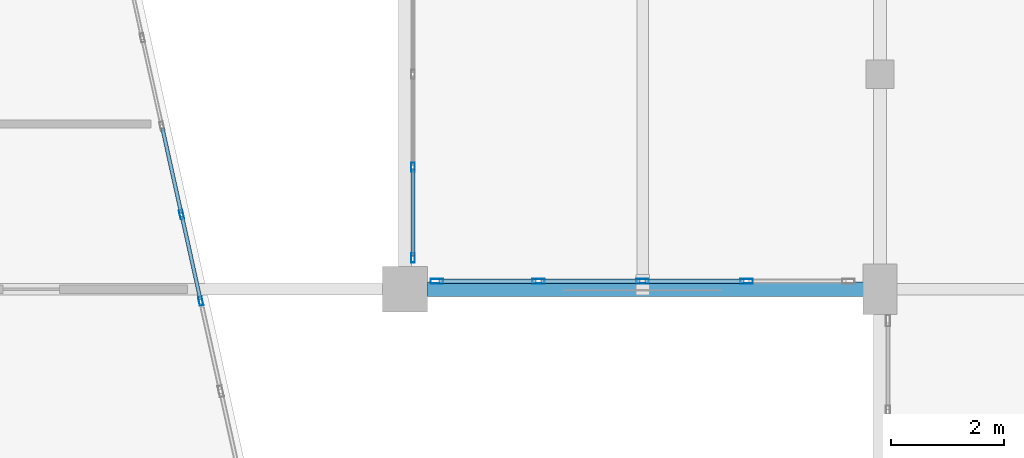
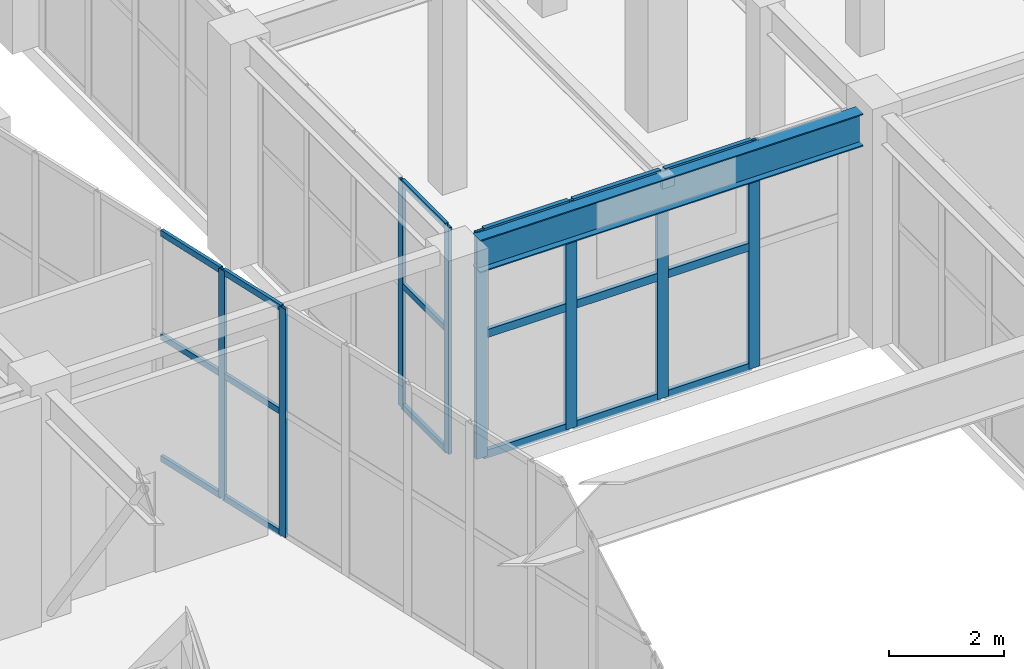
# One storey, part 12 of 128: 26 members, 1 beam, 3 elements without a shape of their own.
"""IFC4 building model written with IfcOpenShell, lengths in metres."""

import ifcopenshell
import ifcopenshell.guid

model = None  # the IFC model being written
_history = None  # IfcOwnerHistory: only IFC2X3 demands one
_inside = {}  # id of a spatial element -> (the spatial element, [elements in it])
_under = {}  # id of a project, library or spatial element -> (it, [spatial elements below it])
_declared = {}  # id of a project -> (the project, [libraries it declares])
_typed = {}  # id of a type object -> (the type object, [elements of that type])
_made_of = {}  # id of a material, layer set ... -> (it, [elements and type objects made of it])


def new_model(schema):
    """Start an empty IFC model of exactly this schema.

    Asked for "IFC4X3", IfcOpenShell would pick the latest addendum, in which some entities
    have other attributes; the version numbers below select the first issue.
    IFC2X3 requires an IfcOwnerHistory on every rooted entity: one is made here for all.
    """
    global model, _history
    if schema == "IFC4X3":
        model = ifcopenshell.file(schema_version=(4, 3, 0, 0))
    else:
        model = ifcopenshell.file(schema=schema)
    _inside.clear()
    _under.clear()
    _declared.clear()
    _typed.clear()
    _made_of.clear()
    _history = None
    if model.schema == "IFC2X3":
        org = make("IfcOrganization", Name="unknown")
        user = make(
            "IfcPersonAndOrganization",
            ThePerson=make("IfcPerson", FamilyName="unknown"),
            TheOrganization=org,
        )
        app = make(
            "IfcApplication",
            ApplicationDeveloper=org,
            Version="unknown",
            ApplicationFullName="unknown",
            ApplicationIdentifier="unknown",
        )
        _history = make(
            "IfcOwnerHistory",
            OwningUser=user,
            OwningApplication=app,
            ChangeAction="ADDED",
            CreationDate=0,
        )
    return model


def make(cls, **values):
    """One entity of the class cls with the attributes given. An attribute that is None is left unset."""
    return model.create_entity(
        cls, **{name: value for name, value in values.items() if value is not None}
    )


def rooted(cls, **values):
    """An entity with a GlobalId (a new one), such as an element, a storey or a relation."""
    return make(cls, GlobalId=ifcopenshell.guid.new(), OwnerHistory=_history, **values)


def si_unit(unit_type, name, prefix=None):
    """IfcSIUnit, for example si_unit("LENGTHUNIT", "METRE", prefix="MILLI")."""
    return make("IfcSIUnit", UnitType=unit_type, Prefix=prefix, Name=name)


def assignment(units):
    """IfcUnitAssignment: the units of a project."""
    return None if units is None else make("IfcUnitAssignment", Units=units)


def point(xyz):
    """IfcCartesianPoint."""
    return None if xyz is None else make("IfcCartesianPoint", Coordinates=xyz)


def direction(xyz):
    """IfcDirection."""
    return None if xyz is None else make("IfcDirection", DirectionRatios=xyz)


def frame(location, z_axis=None, x_axis=None):
    """IfcAxis2Placement3D, a coordinate frame: its origin and axes. An axis left out is left unset."""
    return make(
        "IfcAxis2Placement3D",
        Location=point(location),
        Axis=direction(z_axis),
        RefDirection=direction(x_axis),
    )


def frame_2d(location, x_axis=None):
    """IfcAxis2Placement2D, a coordinate frame in the plane: its origin and x axis."""
    return make(
        "IfcAxis2Placement2D", Location=point(location), RefDirection=direction(x_axis)
    )


def origin():
    """The frame at (0, 0, 0) with its axes left unset."""
    return frame((0.0, 0.0, 0.0))


def origin_2d():
    """The frame at (0, 0) in the plane with its x axis left unset."""
    return frame_2d((0.0, 0.0))


def place(relative_to, where):
    """IfcLocalPlacement: puts the frame where relative to a parent placement (None: the world)."""
    return make(
        "IfcLocalPlacement", PlacementRelTo=relative_to, RelativePlacement=where
    )


def context(
    kind, dimensions, precision=None, world=None, true_north=None, identifier=None
):
    """IfcGeometricRepresentationContext, for example the 3D "Model" context."""
    return make(
        "IfcGeometricRepresentationContext",
        ContextIdentifier=identifier,
        ContextType=kind,
        CoordinateSpaceDimension=dimensions,
        Precision=precision,
        WorldCoordinateSystem=world,
        TrueNorth=true_north,
    )


def subcontext(parent, identifier, kind, view, scale=None):
    """IfcGeometricRepresentationSubContext, for example "Body" below "Model"."""
    return make(
        "IfcGeometricRepresentationSubContext",
        ContextIdentifier=identifier,
        ContextType=kind,
        ParentContext=parent,
        TargetScale=scale,
        TargetView=view,
    )


def project(units=None, contexts=None):
    """IfcProject with its units and contexts."""
    return rooted(
        "IfcProject",
        Name="project",
        RepresentationContexts=contexts,
        UnitsInContext=assignment(units),
    )


def spatial(cls, under=None, at=None, **own):
    """A site, building, storey or space (cls), placed at a placement, below another one or the project."""
    s = rooted(cls, ObjectPlacement=at, **own)
    if under is not None:
        _under.setdefault(under.id(), (under, []))[1].append(s)
    return s


def profile(cls, at=None, kind="AREA", **sizes):
    """A parametric profile (cls). Its sizes go by their IFC names, for example OverallWidth=200.0."""
    return make(cls, ProfileType=kind, Position=at, **sizes)


def hollow_rectangle(**sizes):
    """IfcRectangleHollowProfileDef."""
    return profile("IfcRectangleHollowProfileDef", **sizes)


def i_section(**sizes):
    """IfcIShapeProfileDef."""
    return profile("IfcIShapeProfileDef", **sizes)


def extrude(swept, where, along, depth):
    """IfcExtrudedAreaSolid: the profile swept, set in the frame where, extruded along a direction by depth."""
    return make(
        "IfcExtrudedAreaSolid",
        SweptArea=swept,
        Position=where,
        ExtrudedDirection=direction(along),
        Depth=depth,
    )


def shape(context_of_items, identifier, shape_type, items):
    """IfcShapeRepresentation: the items that make up one representation, for example the "Body"."""
    return make(
        "IfcShapeRepresentation",
        ContextOfItems=context_of_items,
        RepresentationIdentifier=identifier,
        RepresentationType=shape_type,
        Items=items,
    )


def material(Name=None, Category=None):
    """IfcMaterial."""
    return make("IfcMaterial", Name=Name, Category=Category)


def layer(
    of_material, thickness, ventilated=None, Name=None, Category=None, Priority=None
):
    """IfcMaterialLayer: one layer of a wall or slab, of a material (None: an air gap)."""
    return make(
        "IfcMaterialLayer",
        Material=of_material,
        LayerThickness=thickness,
        IsVentilated=ventilated,
        Name=Name,
        Category=Category,
        Priority=Priority,
    )


def layer_set(layers, Name=None):
    """IfcMaterialLayerSet."""
    return make("IfcMaterialLayerSet", MaterialLayers=layers, LayerSetName=Name)


def material_profile(
    of_material, cross_section, Name=None, Category=None, Priority=None
):
    """IfcMaterialProfile: a cross section and its material."""
    return make(
        "IfcMaterialProfile",
        Name=Name,
        Material=of_material,
        Profile=cross_section,
        Priority=Priority,
        Category=Category,
    )


def profile_set(profiles, Name=None, composite=None):
    """IfcMaterialProfileSet."""
    return make(
        "IfcMaterialProfileSet",
        Name=Name,
        MaterialProfiles=profiles,
        CompositeProfile=composite,
    )


def made_of(thing, what):
    """Note that an element or type object is made of a material, layer set ...; save() writes the relation."""
    if what is not None:
        _made_of.setdefault(what.id(), (what, []))[1].append(thing)
    return thing


def type_object(cls, material=None, **own):
    """A type object (cls), such as IfcWallType, which elements share."""
    return made_of(rooted(cls, **own), material)


def element(
    cls,
    number,
    at=None,
    inside=None,
    cuts=None,
    type_object=None,
    material=None,
    context=None,
    identifier="Body",
    shape_type=None,
    held_by="IfcProductDefinitionShape",
    body=None,
    shapes=None,
    **own,
):
    """One element of the class cls, such as IfcWall. Its Tag is "e" and its number.

    at: its placement. inside: the storey or other place that contains it. cuts: it is an
    opening in that element (IfcRelVoidsElement). A single representation is given by context,
    identifier, shape_type and body (its items); several are given by shapes. held_by: the class
    of the entity that holds the representations. save() writes the other relations.
    """
    e = rooted(cls, Tag="e%d" % number, ObjectPlacement=at, **own)
    if body is not None:
        shapes = [shape(context, identifier, shape_type, body)]
    if shapes is not None:
        e.Representation = make(held_by, Representations=shapes)
    if inside is not None:
        _inside.setdefault(inside.id(), (inside, []))[1].append(e)
    if cuts is not None:
        rooted(
            "IfcRelVoidsElement", RelatingBuildingElement=cuts, RelatedOpeningElement=e
        )
    if type_object is not None:
        _typed.setdefault(type_object.id(), (type_object, []))[1].append(e)
    return made_of(e, material)


def aggregate(whole, parts):
    """IfcRelAggregates: a whole, such as a stair, and the parts it consists of."""
    return rooted("IfcRelAggregates", RelatingObject=whole, RelatedObjects=parts)


def save(model, path):
    """Write the relations noted so far, then the file.

    IfcRelAggregates (storeys below a building ...), IfcRelContainedInSpatialStructure (elements
    in a storey), IfcRelDefinesByType, IfcRelAssociatesMaterial and IfcRelDeclares: one each for
    every whole, place, type object, material and project.
    """
    for whole, parts in _under.values():
        aggregate(whole, parts)
    for where, things in _inside.values():
        rooted(
            "IfcRelContainedInSpatialStructure",
            RelatedElements=things,
            RelatingStructure=where,
        )
    for kind, things in _typed.values():
        rooted("IfcRelDefinesByType", RelatedObjects=things, RelatingType=kind)
    for what, things in _made_of.values():
        rooted("IfcRelAssociatesMaterial", RelatedObjects=things, RelatingMaterial=what)
    for by, libraries in _declared.values():
        rooted("IfcRelDeclares", RelatingContext=by, RelatedDefinitions=libraries)
    model.write(path)


model = new_model("IFC4")

# Units and contexts
model_context = context("Model", 3, precision=1e-05, world=origin(), true_north=direction((0.0, 1.0)))
body_context = subcontext(model_context, "Body", "Model", "MODEL_VIEW")
ifc_project = project(units=[si_unit("LENGTHUNIT", "METRE"), si_unit("AREAUNIT", "SQUARE_METRE"), si_unit("VOLUMEUNIT", "CUBIC_METRE"), si_unit("PLANEANGLEUNIT", "RADIAN"), si_unit("MASSUNIT", "GRAM", prefix="KILO")], contexts=[model_context])

# Site, building, storey
site_placement = place(None, origin())
site = spatial("IfcSite", under=ifc_project, at=site_placement, CompositionType="ELEMENT")
building_placement = place(site_placement, origin())
building = spatial("IfcBuilding", under=site, at=building_placement, Name="Xicomal Pleat Aquarium", CompositionType="ELEMENT")
storey_placement = place(building_placement, frame((0.0, 0.0, 5.39990234375)))
storey = spatial("IfcBuildingStorey", under=building, at=storey_placement, Name="L02", CompositionType="ELEMENT", Elevation=5.39990234375)

# Beam
ifc_material_1 = material(Name="Structural steel A992 Gr 50", Category="steel")
ifc_material_profile_1 = material_profile(ifc_material_1, i_section(OverallWidth=0.256103515625, OverallDepth=0.693115234375, WebThickness=0.014404296875, FlangeThickness=0.023681640625, at=origin_2d()), Name="IR 690x170")
ifc_profile_set_1 = profile_set([ifc_material_profile_1], Name="Structural steel A992 Gr 50")
beam_type = type_object("IfcBeamType", Name="BM-STL-IR690", PredefinedType="BEAM", material=ifc_profile_set_1)
beam_placement = place(storey_placement, frame((44.195068359375, 30.39990234375, 4.4736328125), z_axis=(1.0, 0.0, 0.0), x_axis=(0.0, 1.0, 0.0)))
element("IfcBeam", 1, at=beam_placement, inside=storey, type_object=beam_type, Name="L02 framing beam FGX-L02-06-07-E", PredefinedType="BEAM", context=body_context, shape_type="SweptSolid", body=[
    extrude(i_section(OverallWidth=0.256103515625, OverallDepth=0.693115234375, WebThickness=0.014404296875, FlangeThickness=0.023681640625, at=origin_2d()), origin(), (0.0, 0.0, 1.0), 7.7099609375),
])

# Curtain wall, members
ifc_material_2 = material(Name="Bronze anodized aluminium 6063-T6", Category="aluminium")
ifc_layer_1 = layer(ifc_material_2, 0.159912109375)
ifc_layer_set_1 = layer_set([ifc_layer_1], Name="Bronze anodized aluminium 6063-T6")
curtain_wall_type_1 = type_object("IfcCurtainWallType", Name="CW-SYS-02", PredefinedType="NOTDEFINED", material=ifc_layer_set_1)
curtain_wall_1_placement = place(storey_placement, origin())
curtain_wall_1 = element("IfcCurtainWall", 2, at=curtain_wall_1_placement, inside=storey, type_object=curtain_wall_type_1, Name="L02 unitised curtain wall CW-L02-096", PredefinedType="NOTDEFINED")
ifc_material_3 = material(Name="Bronze anodized aluminium 6063-T6", Category="aluminium")
ifc_material_profile_2 = material_profile(ifc_material_3, hollow_rectangle(XDim=0.06494140625, YDim=0.159912109375, WallThickness=0.00390625, at=origin_2d()), Name="ALU MULL 65x160")
ifc_profile_set_2 = profile_set([ifc_material_profile_2], Name="Bronze anodized aluminium 6063-T6")
member_type_1 = type_object("IfcMemberType", Name="CWM-65x160", PredefinedType="MULLION", material=ifc_profile_set_2)
member_1_placement = place(storey_placement, frame((43.93994140625, 30.952392578125, 0.0), z_axis=(0.0, 0.0, 1.0), x_axis=(-1.0, 0.0, 0.0)))
member_1 = element("IfcMember", 3, at=member_1_placement, type_object=member_type_1, Name="CW-02 mullion 1", PredefinedType="MULLION", context=body_context, shape_type="SweptSolid", body=[
    extrude(hollow_rectangle(XDim=0.06494140625, YDim=0.159912109375, WallThickness=0.00390625, at=origin_2d()), origin(), (0.0, 0.0, 1.0), 4.820068359375),
])
member_2_placement = place(storey_placement, frame((43.93994140625, 32.56005859375, 0.0), z_axis=(0.0, 0.0, 1.0), x_axis=(-1.0, 0.0, 0.0)))
member_2 = element("IfcMember", 4, at=member_2_placement, type_object=member_type_1, Name="CW-02 mullion 2", PredefinedType="MULLION", context=body_context, shape_type="SweptSolid", body=[
    extrude(hollow_rectangle(XDim=0.06494140625, YDim=0.159912109375, WallThickness=0.00390625, at=origin_2d()), origin(), (0.0, 0.0, 1.0), 4.820068359375),
])

curtain_wall_2_placement = place(storey_placement, origin())
curtain_wall_2 = element("IfcCurtainWall", 5, at=curtain_wall_2_placement, inside=storey, type_object=curtain_wall_type_1, Name="L02 unitised curtain wall CW-L02-138", PredefinedType="NOTDEFINED")
member_3_placement = place(storey_placement, frame((39.849365234375, 31.719482421875, 0.0), z_axis=(0.0, 0.0, 1.0), x_axis=(0.976272248092, 0.216546756166, 0.0)))
member_3 = element("IfcMember", 6, at=member_3_placement, type_object=member_type_1, Name="CW-02 mullion 5", PredefinedType="MULLION", context=body_context, shape_type="SweptSolid", body=[
    extrude(hollow_rectangle(XDim=0.06494140625, YDim=0.159912109375, WallThickness=0.00390625, at=origin_2d()), origin(), (0.0, 0.0, 1.0), 4.860107421875),
])
member_4_placement = place(storey_placement, frame((40.18896484375, 30.188720703125, 0.0), z_axis=(0.0, 0.0, 1.0), x_axis=(0.976272248092, 0.216546756166, 0.0)))
member_4 = element("IfcMember", 7, at=member_4_placement, type_object=member_type_1, Name="CW-02 mullion 6", PredefinedType="MULLION", context=body_context, shape_type="SweptSolid", body=[
    extrude(hollow_rectangle(XDim=0.06494140625, YDim=0.159912109375, WallThickness=0.00390625, at=origin_2d()), origin(), (0.0, 0.0, 1.0), 4.860107421875),
])

ifc_material_4 = material(Name="Bronze anodized aluminium 6063-T6", Category="aluminium")
ifc_layer_2 = layer(ifc_material_4, 0.159912109375)
ifc_layer_set_2 = layer_set([ifc_layer_2], Name="Bronze anodized aluminium 6063-T6")
curtain_wall_type_2 = type_object("IfcCurtainWallType", Name="CW-SYS-12", PredefinedType="NOTDEFINED", material=ifc_layer_set_2)
curtain_wall_3_placement = place(storey_placement, origin())
curtain_wall_3 = element("IfcCurtainWall", 8, at=curtain_wall_3_placement, inside=storey, type_object=curtain_wall_type_2, Name="L02 unitised curtain wall CW-L02-095", PredefinedType="NOTDEFINED")
ifc_material_5 = material(Name="Bronze anodized aluminium 6063-T6", Category="aluminium")
ifc_material_profile_3 = material_profile(ifc_material_5, hollow_rectangle(XDim=0.0849609375, YDim=0.219970703125, WallThickness=0.0048828125, at=origin_2d()), Name="ALU MULL 85x220")
ifc_profile_set_3 = profile_set([ifc_material_profile_3], Name="Bronze anodized aluminium 6063-T6")
member_type_2 = type_object("IfcMemberType", Name="CWM-85x220", PredefinedType="MULLION", material=ifc_profile_set_3)
member_5_placement = place(storey_placement, frame((49.840087890625, 30.5400390625, 0.0), z_axis=(0.0, 0.0, 1.0), x_axis=(0.0, -1.0, 0.0)))
member_5 = element("IfcMember", 9, at=member_5_placement, type_object=member_type_2, Name="CW-12 mullion 2", PredefinedType="MULLION", context=body_context, shape_type="SweptSolid", body=[
    extrude(hollow_rectangle(XDim=0.0849609375, YDim=0.219970703125, WallThickness=0.0048828125, at=origin_2d()), origin(), (0.0, 0.0, 1.0), 4.820068359375),
])
member_6_placement = place(storey_placement, frame((48.0, 30.5400390625, 0.0), z_axis=(0.0, 0.0, 1.0), x_axis=(0.0, -1.0, 0.0)))
member_6 = element("IfcMember", 10, at=member_6_placement, type_object=member_type_2, Name="CW-12 mullion 3", PredefinedType="MULLION", context=body_context, shape_type="SweptSolid", body=[
    extrude(hollow_rectangle(XDim=0.0849609375, YDim=0.219970703125, WallThickness=0.0048828125, at=origin_2d()), origin(), (0.0, 0.0, 1.0), 4.820068359375),
])
member_7_placement = place(storey_placement, frame((46.159912109375, 30.5400390625, 0.0), z_axis=(0.0, 0.0, 1.0), x_axis=(0.0, -1.0, 0.0)))
member_7 = element("IfcMember", 11, at=member_7_placement, type_object=member_type_2, Name="CW-12 mullion 4", PredefinedType="MULLION", context=body_context, shape_type="SweptSolid", body=[
    extrude(hollow_rectangle(XDim=0.0849609375, YDim=0.219970703125, WallThickness=0.0048828125, at=origin_2d()), origin(), (0.0, 0.0, 1.0), 4.820068359375),
])
member_8_placement = place(storey_placement, frame((44.362548828125, 30.5400390625, 0.0), z_axis=(0.0, 0.0, 1.0), x_axis=(0.0, -1.0, 0.0)))
member_8 = element("IfcMember", 12, at=member_8_placement, type_object=member_type_2, Name="CW-12 mullion 5", PredefinedType="MULLION", context=body_context, shape_type="SweptSolid", body=[
    extrude(hollow_rectangle(XDim=0.0849609375, YDim=0.219970703125, WallThickness=0.0048828125, at=origin_2d()), origin(), (0.0, 0.0, 1.0), 4.820068359375),
])

# Member
ifc_material_6 = material(Name="Bronze anodized aluminium 6063-T6", Category="aluminium")
ifc_material_profile_4 = material_profile(ifc_material_6, hollow_rectangle(XDim=0.06494140625, YDim=0.1298828125, WallThickness=0.00390625, at=origin_2d()), Name="ALU TRAN 65x130")
ifc_profile_set_4 = profile_set([ifc_material_profile_4], Name="Bronze anodized aluminium 6063-T6")
member_type_3 = type_object("IfcMemberType", Name="CWT-65x130", PredefinedType="USERDEFINED", material=ifc_profile_set_4)
member_9_placement = place(storey_placement, frame((43.93994140625, 30.985107421875, 0.03271484375), z_axis=(0.0, 1.0, 0.0), x_axis=(-1.0, 0.0, 0.0)))
member_9 = element("IfcMember", 13, at=member_9_placement, type_object=member_type_3, Name="CW-02 transom 1.1", ObjectType="TRANSOM", PredefinedType="USERDEFINED", context=body_context, shape_type="SweptSolid", body=[
    extrude(hollow_rectangle(XDim=0.06494140625, YDim=0.1298828125, WallThickness=0.00390625, at=origin_2d()), origin(), (0.0, 0.0, 1.0), 1.54248046875),
])

member_10_placement = place(storey_placement, frame((43.93994140625, 30.985107421875, 2.60302734375), z_axis=(0.0, 1.0, 0.0), x_axis=(-1.0, 0.0, 0.0)))
member_10 = element("IfcMember", 14, at=member_10_placement, type_object=member_type_3, Name="CW-02 transom 1.2", ObjectType="TRANSOM", PredefinedType="USERDEFINED", context=body_context, shape_type="SweptSolid", body=[
    extrude(hollow_rectangle(XDim=0.06494140625, YDim=0.1298828125, WallThickness=0.00390625, at=origin_2d()), origin(), (0.0, 0.0, 1.0), 1.54248046875),
])

member_11_placement = place(storey_placement, frame((43.93994140625, 30.985107421875, 4.78759765625), z_axis=(0.0, 1.0, 0.0), x_axis=(-1.0, 0.0, 0.0)))
member_11 = element("IfcMember", 15, at=member_11_placement, type_object=member_type_3, Name="CW-02 transom 1.3", ObjectType="TRANSOM", PredefinedType="USERDEFINED", context=body_context, shape_type="SweptSolid", body=[
    extrude(hollow_rectangle(XDim=0.06494140625, YDim=0.1298828125, WallThickness=0.00390625, at=origin_2d()), origin(), (0.0, 0.0, 1.0), 1.54248046875),
])

aggregate(curtain_wall_1, [member_1, member_2, member_9, member_10, member_11])

member_12_placement = place(storey_placement, frame((39.509765625, 33.25048828125, 0.03271484375), z_axis=(0.216526451046, -0.976276751745, 0.0), x_axis=(0.976276751745, 0.216526451046, 0.0)))
member_12 = element("IfcMember", 16, at=member_12_placement, type_object=member_type_3, Name="CW-02 transom 4.1", ObjectType="TRANSOM", PredefinedType="USERDEFINED", context=body_context, shape_type="SweptSolid", body=[
    extrude(hollow_rectangle(XDim=0.06494140625, YDim=0.1298828125, WallThickness=0.00390625, at=origin_2d()), origin(), (0.0, 0.0, 1.0), 1.53564453125),
])

member_13_placement = place(storey_placement, frame((39.509765625, 33.25048828125, 2.6240234375), z_axis=(0.216526451046, -0.976276751745, 0.0), x_axis=(0.976276751745, 0.216526451046, 0.0)))
member_13 = element("IfcMember", 17, at=member_13_placement, type_object=member_type_3, Name="CW-02 transom 4.2", ObjectType="TRANSOM", PredefinedType="USERDEFINED", context=body_context, shape_type="SweptSolid", body=[
    extrude(hollow_rectangle(XDim=0.06494140625, YDim=0.1298828125, WallThickness=0.00390625, at=origin_2d()), origin(), (0.0, 0.0, 1.0), 1.53564453125),
])

member_14_placement = place(storey_placement, frame((39.509765625, 33.25048828125, 4.82763671875), z_axis=(0.216526451046, -0.976276751745, 0.0), x_axis=(0.976276751745, 0.216526451046, 0.0)))
member_14 = element("IfcMember", 18, at=member_14_placement, type_object=member_type_3, Name="CW-02 transom 4.3", ObjectType="TRANSOM", PredefinedType="USERDEFINED", context=body_context, shape_type="SweptSolid", body=[
    extrude(hollow_rectangle(XDim=0.06494140625, YDim=0.1298828125, WallThickness=0.00390625, at=origin_2d()), origin(), (0.0, 0.0, 1.0), 1.53564453125),
])

member_15_placement = place(storey_placement, frame((39.8564453125, 31.68798828125, 0.03271484375), z_axis=(0.216500512106, -0.976282504328, 0.0), x_axis=(0.976282504328, 0.216500512106, 0.0)))
member_15 = element("IfcMember", 19, at=member_15_placement, type_object=member_type_3, Name="CW-02 transom 5.1", ObjectType="TRANSOM", PredefinedType="USERDEFINED", context=body_context, shape_type="SweptSolid", body=[
    extrude(hollow_rectangle(XDim=0.06494140625, YDim=0.1298828125, WallThickness=0.00390625, at=origin_2d()), origin(), (0.0, 0.0, 1.0), 1.503173828125),
])

member_16_placement = place(storey_placement, frame((39.8564453125, 31.68798828125, 2.6240234375), z_axis=(0.216500512106, -0.976282504328, 0.0), x_axis=(0.976282504328, 0.216500512106, 0.0)))
member_16 = element("IfcMember", 20, at=member_16_placement, type_object=member_type_3, Name="CW-02 transom 5.2", ObjectType="TRANSOM", PredefinedType="USERDEFINED", context=body_context, shape_type="SweptSolid", body=[
    extrude(hollow_rectangle(XDim=0.06494140625, YDim=0.1298828125, WallThickness=0.00390625, at=origin_2d()), origin(), (0.0, 0.0, 1.0), 1.503173828125),
])

member_17_placement = place(storey_placement, frame((39.8564453125, 31.68798828125, 4.82763671875), z_axis=(0.216500512106, -0.976282504328, 0.0), x_axis=(0.976282504328, 0.216500512106, 0.0)))
member_17 = element("IfcMember", 21, at=member_17_placement, type_object=member_type_3, Name="CW-02 transom 5.3", ObjectType="TRANSOM", PredefinedType="USERDEFINED", context=body_context, shape_type="SweptSolid", body=[
    extrude(hollow_rectangle(XDim=0.06494140625, YDim=0.1298828125, WallThickness=0.00390625, at=origin_2d()), origin(), (0.0, 0.0, 1.0), 1.503173828125),
])

aggregate(curtain_wall_2, [member_3, member_4, member_12, member_13, member_14, member_15, member_16, member_17])

ifc_material_7 = material(Name="Bronze anodized aluminium 6063-T6", Category="aluminium")
ifc_material_profile_5 = material_profile(ifc_material_7, hollow_rectangle(XDim=0.0849609375, YDim=0.169921875, WallThickness=0.0048828125, at=origin_2d()), Name="ALU TRAN 85x170")
ifc_profile_set_5 = profile_set([ifc_material_profile_5], Name="Bronze anodized aluminium 6063-T6")
member_type_4 = type_object("IfcMemberType", Name="CWT-85x170", PredefinedType="USERDEFINED", material=ifc_profile_set_5)
member_18_placement = place(storey_placement, frame((49.797607421875, 30.5400390625, 0.04248046875), z_axis=(-1.0, 0.0, 0.0), x_axis=(0.0, -1.0, 0.0)))
member_18 = element("IfcMember", 22, at=member_18_placement, type_object=member_type_4, Name="CW-12 transom 2.1", ObjectType="TRANSOM", PredefinedType="USERDEFINED", context=body_context, shape_type="SweptSolid", body=[
    extrude(hollow_rectangle(XDim=0.0849609375, YDim=0.169921875, WallThickness=0.0048828125, at=origin_2d()), origin(), (0.0, 0.0, 1.0), 1.755126953125),
])

member_19_placement = place(storey_placement, frame((49.797607421875, 30.5400390625, 2.60302734375), z_axis=(-1.0, 0.0, 0.0), x_axis=(0.0, -1.0, 0.0)))
member_19 = element("IfcMember", 23, at=member_19_placement, type_object=member_type_4, Name="CW-12 transom 2.2", ObjectType="TRANSOM", PredefinedType="USERDEFINED", context=body_context, shape_type="SweptSolid", body=[
    extrude(hollow_rectangle(XDim=0.0849609375, YDim=0.169921875, WallThickness=0.0048828125, at=origin_2d()), origin(), (0.0, 0.0, 1.0), 1.755126953125),
])

member_20_placement = place(storey_placement, frame((49.797607421875, 30.5400390625, 4.777587890625), z_axis=(-1.0, 0.0, 0.0), x_axis=(0.0, -1.0, 0.0)))
member_20 = element("IfcMember", 24, at=member_20_placement, type_object=member_type_4, Name="CW-12 transom 2.3", ObjectType="TRANSOM", PredefinedType="USERDEFINED", context=body_context, shape_type="SweptSolid", body=[
    extrude(hollow_rectangle(XDim=0.0849609375, YDim=0.169921875, WallThickness=0.0048828125, at=origin_2d()), origin(), (0.0, 0.0, 1.0), 1.755126953125),
])

member_21_placement = place(storey_placement, frame((47.95751953125, 30.5400390625, 0.04248046875), z_axis=(-1.0, 0.0, 0.0), x_axis=(0.0, -1.0, 0.0)))
member_21 = element("IfcMember", 25, at=member_21_placement, type_object=member_type_4, Name="CW-12 transom 3.1", ObjectType="TRANSOM", PredefinedType="USERDEFINED", context=body_context, shape_type="SweptSolid", body=[
    extrude(hollow_rectangle(XDim=0.0849609375, YDim=0.169921875, WallThickness=0.0048828125, at=origin_2d()), origin(), (0.0, 0.0, 1.0), 1.755126953125),
])

member_22_placement = place(storey_placement, frame((47.95751953125, 30.5400390625, 2.60302734375), z_axis=(-1.0, 0.0, 0.0), x_axis=(0.0, -1.0, 0.0)))
member_22 = element("IfcMember", 26, at=member_22_placement, type_object=member_type_4, Name="CW-12 transom 3.2", ObjectType="TRANSOM", PredefinedType="USERDEFINED", context=body_context, shape_type="SweptSolid", body=[
    extrude(hollow_rectangle(XDim=0.0849609375, YDim=0.169921875, WallThickness=0.0048828125, at=origin_2d()), origin(), (0.0, 0.0, 1.0), 1.755126953125),
])

member_23_placement = place(storey_placement, frame((47.95751953125, 30.5400390625, 4.777587890625), z_axis=(-1.0, 0.0, 0.0), x_axis=(0.0, -1.0, 0.0)))
member_23 = element("IfcMember", 27, at=member_23_placement, type_object=member_type_4, Name="CW-12 transom 3.3", ObjectType="TRANSOM", PredefinedType="USERDEFINED", context=body_context, shape_type="SweptSolid", body=[
    extrude(hollow_rectangle(XDim=0.0849609375, YDim=0.169921875, WallThickness=0.0048828125, at=origin_2d()), origin(), (0.0, 0.0, 1.0), 1.755126953125),
])

member_24_placement = place(storey_placement, frame((46.117431640625, 30.5400390625, 0.04248046875), z_axis=(-1.0, 0.0, 0.0), x_axis=(0.0, -1.0, 0.0)))
member_24 = element("IfcMember", 28, at=member_24_placement, type_object=member_type_4, Name="CW-12 transom 4.1", ObjectType="TRANSOM", PredefinedType="USERDEFINED", context=body_context, shape_type="SweptSolid", body=[
    extrude(hollow_rectangle(XDim=0.0849609375, YDim=0.169921875, WallThickness=0.0048828125, at=origin_2d()), origin(), (0.0, 0.0, 1.0), 1.71240234375),
])

member_25_placement = place(storey_placement, frame((46.117431640625, 30.5400390625, 2.60302734375), z_axis=(-1.0, 0.0, 0.0), x_axis=(0.0, -1.0, 0.0)))
member_25 = element("IfcMember", 29, at=member_25_placement, type_object=member_type_4, Name="CW-12 transom 4.2", ObjectType="TRANSOM", PredefinedType="USERDEFINED", context=body_context, shape_type="SweptSolid", body=[
    extrude(hollow_rectangle(XDim=0.0849609375, YDim=0.169921875, WallThickness=0.0048828125, at=origin_2d()), origin(), (0.0, 0.0, 1.0), 1.71240234375),
])

member_26_placement = place(storey_placement, frame((46.117431640625, 30.5400390625, 4.777587890625), z_axis=(-1.0, 0.0, 0.0), x_axis=(0.0, -1.0, 0.0)))
member_26 = element("IfcMember", 30, at=member_26_placement, type_object=member_type_4, Name="CW-12 transom 4.3", ObjectType="TRANSOM", PredefinedType="USERDEFINED", context=body_context, shape_type="SweptSolid", body=[
    extrude(hollow_rectangle(XDim=0.0849609375, YDim=0.169921875, WallThickness=0.0048828125, at=origin_2d()), origin(), (0.0, 0.0, 1.0), 1.71240234375),
])

aggregate(curtain_wall_3, [member_5, member_6, member_7, member_8, member_18, member_19, member_20, member_21, member_22, member_23, member_24, member_25, member_26])

save(model, "model.ifc")
